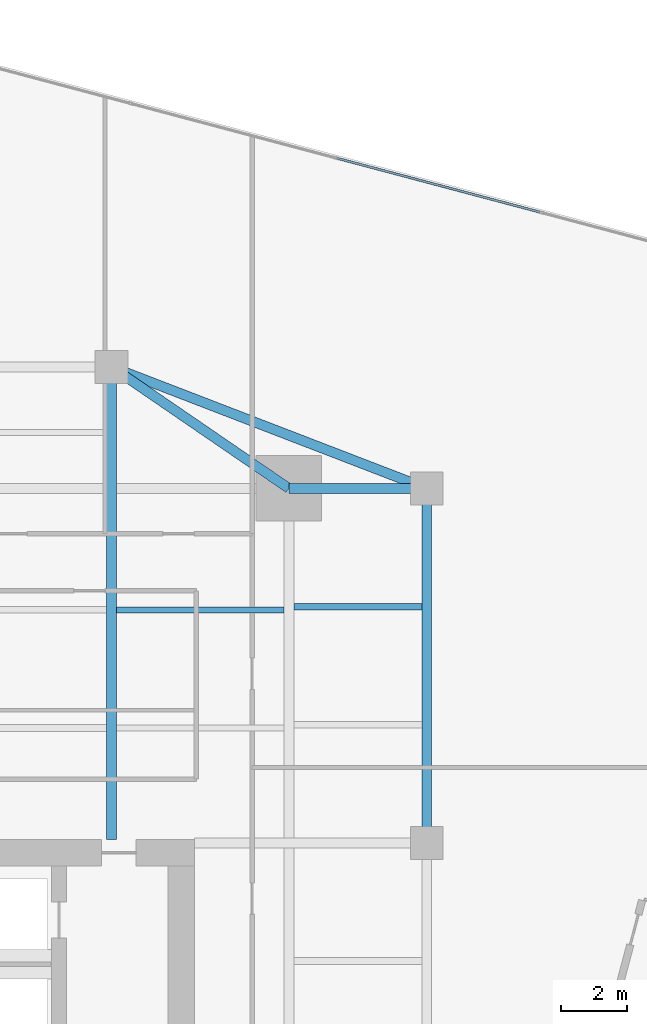
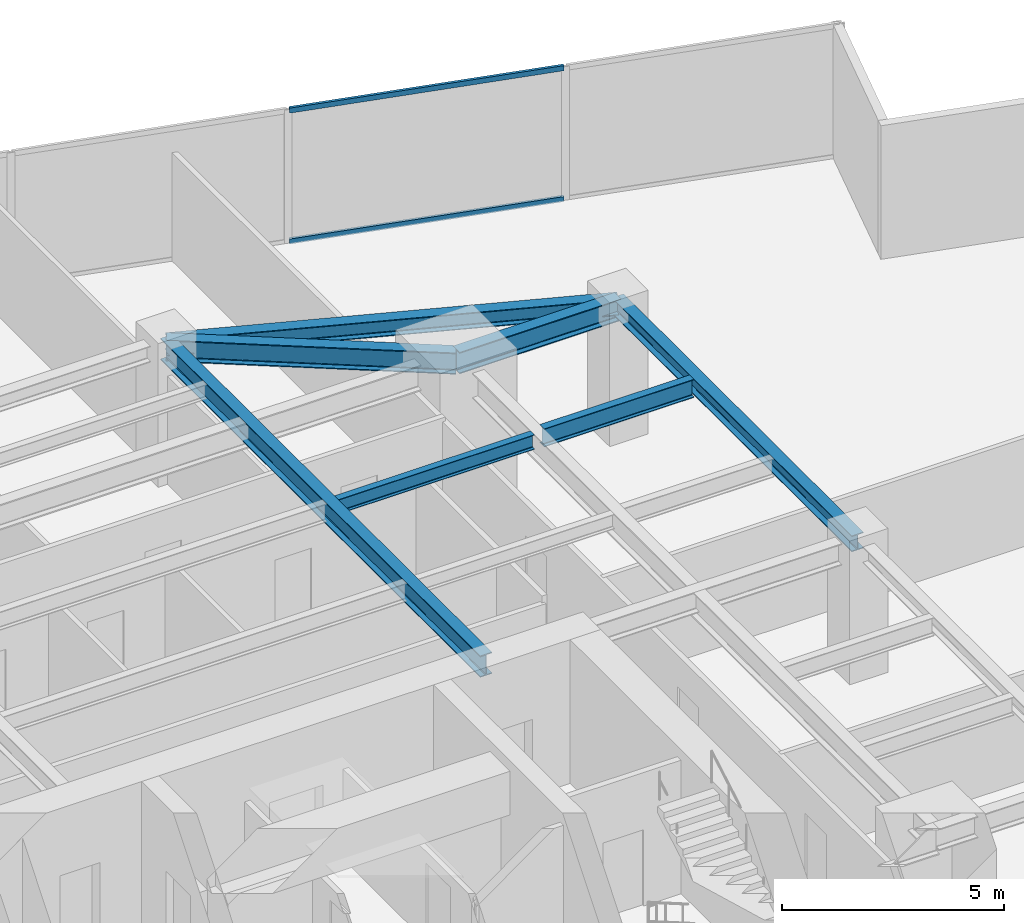
# One storey, part 19 of 27: 7 beams, 2 members, 1 element without a shape of its own.
"""IFC4 building model written with IfcOpenShell, lengths in metres."""

from ifc_helpers import new_model, si_unit, direction, frame, origin, origin_2d, place, context, subcontext, project, spatial, hollow_rectangle, i_section, extrude, source, transform, mapped, material, material_profile, profile_set, type_object, type_shapes, element, aggregate, save


model = new_model("IFC4")

# Units and contexts
model_context = context("Model", 3, precision=1e-05, world=origin(), true_north=direction((0.0, 1.0)))
body_context = subcontext(model_context, "Body", "Model", "MODEL_VIEW")
ifc_project = project(units=[si_unit("LENGTHUNIT", "METRE"), si_unit("AREAUNIT", "SQUARE_METRE"), si_unit("VOLUMEUNIT", "CUBIC_METRE"), si_unit("PLANEANGLEUNIT", "RADIAN"), si_unit("MASSUNIT", "GRAM", prefix="KILO")], contexts=[model_context])

# Site, building, storey
site_placement = place(None, origin())
site = spatial("IfcSite", under=ifc_project, at=site_placement, CompositionType="ELEMENT")
building_placement = place(site_placement, origin())
building = spatial("IfcBuilding", under=site, at=building_placement, Name="Krantzveldt Concourse Tower", CompositionType="ELEMENT")
storey_placement = place(building_placement, frame((0.0, 0.0, 97.949951171875)))
storey = spatial("IfcBuildingStorey", under=building, at=storey_placement, Name="L23", CompositionType="ELEMENT", Elevation=97.949951171875)

# Beams
ifc_material_1 = material(Name="Steel S355JR", Category="steel")
ifc_material_profile_1 = material_profile(ifc_material_1, i_section(OverallWidth=0.300048828125, OverallDepth=0.590087890625, WebThickness=0.012939453125, FlangeThickness=0.02490234375, FilletRadius=0.027099609375, at=origin_2d()), Name="Steel S355JR", Category="steel")
ifc_profile_set_1 = profile_set([ifc_material_profile_1], Name="Steel S355JR - HEA 600")
beam_type_1 = type_object("IfcBeamType", Name="BM-B-HEA600", PredefinedType="BEAM", material=ifc_profile_set_1)
shared_shape_1 = source(origin(), body_context, "Body", "SweptSolid", [
    extrude(i_section(OverallWidth=0.300048828125, OverallDepth=0.590087890625, WebThickness=0.012939453125, FlangeThickness=0.02490234375, FilletRadius=0.027099609375, at=origin_2d()), origin(), (0.0, 0.0, 1.0), 14.39990234375),
])
beam_1_placement = place(storey_placement, frame((41.39990234375, 26.800048828125, 3.375), z_axis=(0.0, 1.0, 0.0), x_axis=(-1.0, 0.0, 0.0)))
element("IfcBeam", 1, at=beam_1_placement, inside=storey, type_object=beam_type_1, Name="L23 Tower Girder BG-CNE", PredefinedType="BEAM", context=body_context, shape_type="MappedRepresentation", body=[
    mapped(shared_shape_1, transform((0.0, 0.0, 0.0), x_axis=(1.0, 0.0, 0.0), y_axis=(0.0, 1.0, 0.0), z_axis=(0.0, 0.0, 1.0), scale=1.0)),
])
ifc_material_profile_2 = material_profile(ifc_material_1, i_section(OverallWidth=0.300048828125, OverallDepth=0.43994140625, WebThickness=0.011474609375, FlangeThickness=0.02099609375, FilletRadius=0.027099609375, at=origin_2d()), Name="Steel S355JR", Category="steel")
ifc_profile_set_2 = profile_set([ifc_material_profile_2], Name="Steel S355JR - HEA 450")
beam_type_2 = type_object("IfcBeamType", Name="BM-SP-HEA450", PredefinedType="SPANDREL", material=ifc_profile_set_2)
shared_shape_2 = source(origin(), body_context, "Body", "SweptSolid", [
    extrude(i_section(OverallWidth=0.300048828125, OverallDepth=0.43994140625, WebThickness=0.011474609375, FlangeThickness=0.02099609375, FilletRadius=0.027099609375, at=origin_2d()), origin(), (0.0, 0.0, 1.0), 10.800048828125),
])
beam_2_placement = place(storey_placement, frame((51.0, 37.5, 3.449951171875), z_axis=(0.0, -1.0, 0.0), x_axis=(1.0, 0.0, 0.0)))
element("IfcBeam", 2, at=beam_2_placement, inside=storey, type_object=beam_type_2, Name="L23 Tower Girder SP-R06", PredefinedType="SPANDREL", context=body_context, shape_type="MappedRepresentation", body=[
    mapped(shared_shape_2, transform((0.0, 0.0, 0.0), x_axis=(1.0, 0.0, 0.0), y_axis=(0.0, 1.0, 0.0), z_axis=(0.0, 0.0, 1.0), scale=1.0)),
])
shared_shape_3 = source(origin(), body_context, "Body", "SweptSolid", [
    extrude(i_section(OverallWidth=0.300048828125, OverallDepth=0.43994140625, WebThickness=0.011474609375, FlangeThickness=0.02099609375, FilletRadius=0.027099609375, at=origin_2d()), origin(), (0.0, 0.0, 1.0), 10.288330078125),
])
type_shapes(beam_type_2, [shared_shape_2, shared_shape_3])
beam_3_placement = place(storey_placement, frame((41.39990234375, 41.199951171875, 3.449951171875), z_axis=(0.933097690408, -0.359622997257, 0.0), x_axis=(0.359622997257, 0.933097690408, 0.0)))
element("IfcBeam", 3, at=beam_3_placement, inside=storey, type_object=beam_type_2, Name="L23 Tower Girder SP-R05", PredefinedType="SPANDREL", context=body_context, shape_type="MappedRepresentation", body=[
    mapped(shared_shape_3, transform((0.0, 0.0, 0.0), x_axis=(1.0, 0.0, 0.0), y_axis=(0.0, 1.0, 0.0), z_axis=(0.0, 0.0, 1.0), scale=1.0)),
])
shared_shape_4 = source(origin(), body_context, "Body", "SweptSolid", [
    extrude(i_section(OverallWidth=0.300048828125, OverallDepth=0.590087890625, WebThickness=0.012939453125, FlangeThickness=0.02490234375, FilletRadius=0.027099609375, at=origin_2d()), origin(), (0.0, 0.0, 1.0), 4.199951171875),
])
beam_4_placement = place(storey_placement, frame((46.800048828125, 37.5, 3.375), z_axis=(1.0, 0.0, 0.0), x_axis=(0.0, 1.0, 0.0)))
element("IfcBeam", 4, at=beam_4_placement, inside=storey, type_object=beam_type_1, Name="L23 Tower Girder BR-RR3", PredefinedType="BEAM", context=body_context, shape_type="MappedRepresentation", body=[
    mapped(shared_shape_4, transform((0.0, 0.0, 0.0), x_axis=(1.0, 0.0, 0.0), y_axis=(0.0, 1.0, 0.0), z_axis=(0.0, 0.0, 1.0), scale=1.0)),
])
shared_shape_5 = source(origin(), body_context, "Body", "SweptSolid", [
    extrude(i_section(OverallWidth=0.300048828125, OverallDepth=0.590087890625, WebThickness=0.012939453125, FlangeThickness=0.02490234375, FilletRadius=0.027099609375, at=origin_2d()), origin(), (0.0, 0.0, 1.0), 6.546142578125),
])
type_shapes(beam_type_1, [shared_shape_1, shared_shape_4, shared_shape_5])
beam_5_placement = place(storey_placement, frame((46.800048828125, 37.5, 3.375), z_axis=(-0.824942999484, 0.565215930068, 0.0), x_axis=(-0.565215930068, -0.824942999484, 0.0)))
element("IfcBeam", 5, at=beam_5_placement, inside=storey, type_object=beam_type_1, Name="L23 Tower Girder BR-RR4", PredefinedType="BEAM", context=body_context, shape_type="MappedRepresentation", body=[
    mapped(shared_shape_5, transform((0.0, 0.0, 0.0), x_axis=(1.0, 0.0, 0.0), y_axis=(0.0, 1.0, 0.0), z_axis=(0.0, 0.0, 1.0), scale=1.0)),
])
ifc_material_profile_3 = material_profile(ifc_material_1, i_section(OverallWidth=0.179931640625, OverallDepth=0.39990234375, WebThickness=0.008544921875, FlangeThickness=0.013427734375, FilletRadius=0.02099609375, at=origin_2d()), Name="Steel S355JR", Category="steel")
ifc_profile_set_3 = profile_set([ifc_material_profile_3], Name="Steel S355JR - IPE 400")
beam_type_3 = type_object("IfcBeamType", Name="BM-J-IPE400", PredefinedType="JOIST", material=ifc_profile_set_3)
shared_shape_6 = source(origin(), body_context, "Body", "SweptSolid", [
    extrude(i_section(OverallWidth=0.179931640625, OverallDepth=0.39990234375, WebThickness=0.008544921875, FlangeThickness=0.013427734375, FilletRadius=0.02099609375, at=origin_2d()), origin(), (0.0, 0.0, 1.0), 5.099853515625),
])
type_shapes(beam_type_3, [shared_shape_6])
beam_6_placement = place(storey_placement, frame((41.550048828125, 33.800048828125, 3.469970703125), z_axis=(1.0, 0.0, 0.0), x_axis=(0.0, 1.0, 0.0)))
element("IfcBeam", 6, at=beam_6_placement, inside=storey, type_object=beam_type_3, Name="L23 Secondary Floor Joist JN-E2", PredefinedType="JOIST", context=body_context, shape_type="MappedRepresentation", body=[
    mapped(shared_shape_6, transform((0.0, 0.0, 0.0), x_axis=(1.0, 0.0, 0.0), y_axis=(0.0, 1.0, 0.0), z_axis=(0.0, 0.0, 1.0), scale=1.0)),
])
ifc_material_profile_4 = material_profile(ifc_material_1, i_section(OverallWidth=0.199951171875, OverallDepth=0.5, WebThickness=0.01025390625, FlangeThickness=0.01611328125, FilletRadius=0.02099609375, at=origin_2d()), Name="Steel S355JR", Category="steel")
ifc_profile_set_4 = profile_set([ifc_material_profile_4], Name="Steel S355JR - IPE 500")
beam_type_4 = type_object("IfcBeamType", Name="BM-J-IPE500", PredefinedType="JOIST", material=ifc_profile_set_4)
shared_shape_7 = source(origin(), body_context, "Body", "SweptSolid", [
    extrude(i_section(OverallWidth=0.199951171875, OverallDepth=0.5, WebThickness=0.01025390625, FlangeThickness=0.01611328125, FilletRadius=0.02099609375, at=origin_2d()), origin(), (0.0, 0.0, 1.0), 3.900146484375),
])
type_shapes(beam_type_4, [shared_shape_7])
beam_7_placement = place(storey_placement, frame((46.949951171875, 33.89990234375, 3.420166015625), z_axis=(1.0, 0.0, 0.0), x_axis=(0.0, 1.0, 0.0)))
element("IfcBeam", 7, at=beam_7_placement, inside=storey, type_object=beam_type_4, Name="L23 Secondary Floor Joist JE-4", PredefinedType="JOIST", context=body_context, shape_type="MappedRepresentation", body=[
    mapped(shared_shape_7, transform((0.0, 0.0, 0.0), x_axis=(1.0, 0.0, 0.0), y_axis=(0.0, 1.0, 0.0), z_axis=(0.0, 0.0, 1.0), scale=1.0)),
])

# Curtain wall, members
ifc_material_2 = material(Name="Anodised aluminium 6063-T6", Category="aluminium")
curtain_wall_type = type_object("IfcCurtainWallType", Name="CW2", PredefinedType="USERDEFINED", material=ifc_material_2)
curtain_wall_placement = place(storey_placement, origin())
curtain_wall = element("IfcCurtainWall", 8, at=curtain_wall_placement, inside=storey, type_object=curtain_wall_type, Name="CW-L23-F14", ObjectType="UNITISED CURTAIN WALL", PredefinedType="USERDEFINED")
ifc_material_profile_5 = material_profile(ifc_material_2, hollow_rectangle(XDim=0.070068359375, YDim=0.139892578125, WallThickness=0.0048828125, at=origin_2d()), Name="Anodised aluminium 6063-T6", Category="aluminium")
ifc_profile_set_5 = profile_set([ifc_material_profile_5], Name="Anodised aluminium 6063-T6 - ALU-TRAN 140x70x5")
member_type = type_object("IfcMemberType", Name="CW-TRN-150", PredefinedType="USERDEFINED", material=ifc_profile_set_5)
shared_shape_8 = source(origin(), body_context, "Body", "SweptSolid", [
    extrude(hollow_rectangle(XDim=0.070068359375, YDim=0.139892578125, WallThickness=0.0048828125, at=origin_2d()), origin(), (0.0, 0.0, 1.0), 6.396484375),
])
type_shapes(member_type, [shared_shape_8])
member_1_placement = place(storey_placement, frame((54.449951171875, 45.917724609375, 0.03515625), z_axis=(-0.966486606622, 0.256717041156, 0.0), x_axis=(-0.256717041156, -0.966486606622, 0.0)))
member_1 = element("IfcMember", 9, at=member_1_placement, type_object=member_type, Name="CW-Z12 transom 2.1", ObjectType="TRANSOM", PredefinedType="USERDEFINED", context=body_context, shape_type="MappedRepresentation", body=[
    mapped(shared_shape_8, transform((0.0, 0.0, 0.0), x_axis=(1.0, 0.0, 0.0), y_axis=(0.0, 1.0, 0.0), z_axis=(0.0, 0.0, 1.0), scale=1.0)),
])
member_2_placement = place(storey_placement, frame((54.449951171875, 45.917724609375, 3.635009765625), z_axis=(-0.966486606622, 0.256717041156, 0.0), x_axis=(-0.256717041156, -0.966486606622, 0.0)))
member_2 = element("IfcMember", 10, at=member_2_placement, type_object=member_type, Name="CW-Z12 transom 2.2", ObjectType="TRANSOM", PredefinedType="USERDEFINED", context=body_context, shape_type="MappedRepresentation", body=[
    mapped(shared_shape_8, transform((0.0, 0.0, 0.0), x_axis=(1.0, 0.0, 0.0), y_axis=(0.0, 1.0, 0.0), z_axis=(0.0, 0.0, 1.0), scale=1.0)),
])
aggregate(curtain_wall, [member_1, member_2])

save(model, "model.ifc")
